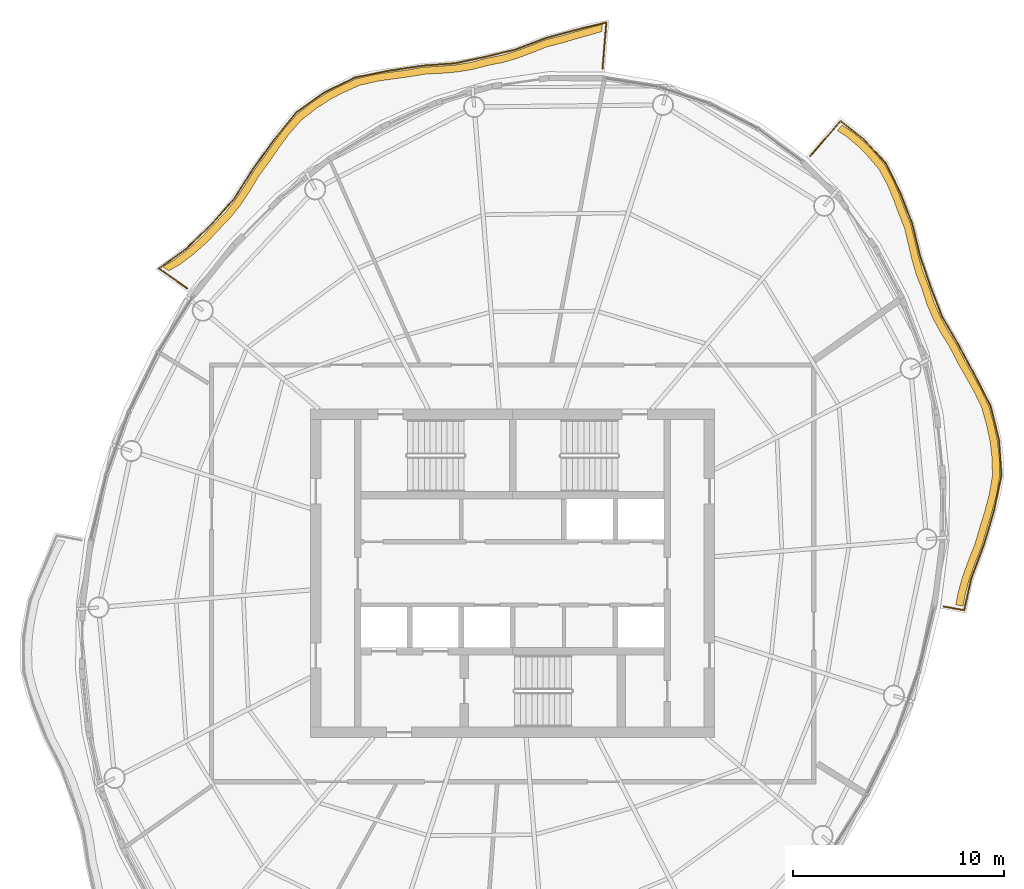
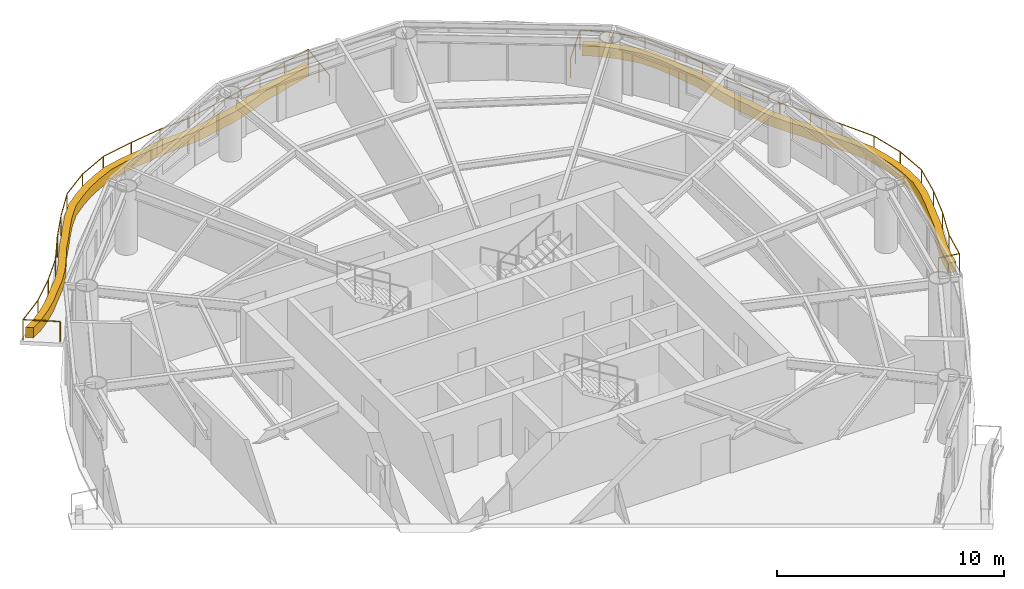
# One storey, part 13 of 13: 2 coverings, 2 railings.
"""IFC4 building model written with IfcOpenShell, lengths in metres."""

from ifc_helpers import new_model, si_unit, direction, frame, origin, origin_2d, place, context, subcontext, project, spatial, polyline, circle, outline, extrude, material, type_object, element, save


model = new_model("IFC4")

# Units and contexts
model_context = context("Model", 3, precision=1e-05, world=origin(), true_north=direction((0.0, 1.0)))
body_context = subcontext(model_context, "Body", "Model", "MODEL_VIEW")
ifc_project = project(units=[si_unit("LENGTHUNIT", "METRE"), si_unit("AREAUNIT", "SQUARE_METRE"), si_unit("VOLUMEUNIT", "CUBIC_METRE"), si_unit("PLANEANGLEUNIT", "RADIAN"), si_unit("MASSUNIT", "GRAM", prefix="KILO")], contexts=[model_context])

# Site, building, storey
site_placement = place(None, origin())
site = spatial("IfcSite", under=ifc_project, at=site_placement, CompositionType="ELEMENT")
building_placement = place(site_placement, origin())
building = spatial("IfcBuilding", under=site, at=building_placement, Name="Vermilion Reach Broadcast Tower", CompositionType="ELEMENT")
storey_placement = place(building_placement, frame((0.0, 0.0, 300.89990234375)))
storey = spatial("IfcBuildingStorey", under=building, at=storey_placement, Name="L75", CompositionType="ELEMENT", Elevation=300.89990234375)

# Coverings
ifc_material_1 = material(Name="Planting soil and greenery")
covering_type = type_object("IfcCoveringType", Name="Balcony PLANTER", PredefinedType="USERDEFINED", material=ifc_material_1)
placement = place(storey_placement, origin())
element("IfcCovering", 1, at=placement, inside=storey, type_object=covering_type, Name="PLANTER L75 group 1", ObjectType="PLANTER", PredefinedType="USERDEFINED", context=body_context, shape_type="SweptSolid", body=[
    extrude(outline(polyline([(-1.7353515625, 26.08251953125), (-2.284423828125, 25.927490234375), (-2.957763671875, 25.742431640625), (-3.631103515625, 25.54248046875), (-4.418212890625, 25.34619140625), (-5.18359375, 25.0478515625), (-5.841796875, 24.802734375), (-6.50732421875, 24.607421875), (-7.255615234375, 24.4599609375), (-8.009521484375, 24.26318359375), (-8.709228515625, 24.148681640625), (-9.4248046875, 24.0869140625), (-10.248779296875, 24.036865234375), (-11.087646484375, 23.895263671875), (-11.836181640625, 23.799560546875), (-12.578125, 23.688232421875), (-13.439208984375, 23.4833984375), (-14.255859375, 23.115966796875), (-14.911865234375, 22.76806640625), (-15.530029296875, 22.3583984375), (-16.2333984375, 21.815185546875), (-16.838623046875, 21.12841796875), (-17.3046875, 20.4951171875), (-17.75634765625, 19.843994140625), (-18.278564453125, 19.1396484375), (-18.741455078125, 18.384033203125), (-19.1787109375, 17.7265625), (-19.6640625, 17.1171875), (-20.24658203125, 16.520263671875), (-20.828369140625, 15.9013671875), (-21.43017578125, 15.374267578125), (-22.07568359375, 14.881591796875), (-22.61865234375, 14.57080078125), (-22.332763671875, 14.368896484375), (-21.80126953125, 14.66455078125), (-21.15576171875, 15.156982421875), (-20.553955078125, 15.68408203125), (-19.984619140625, 16.2880859375), (-19.41552734375, 16.87060546875), (-18.930419921875, 17.47998046875), (-18.4931640625, 18.137451171875), (-18.044921875, 18.87890625), (-17.53857421875, 19.570068359375), (-17.0869140625, 20.22119140625), (-16.620849609375, 20.8544921875), (-16.03271484375, 21.5283203125), (-15.34716796875, 22.06005859375), (-14.72900390625, 22.4697265625), (-14.072998046875, 22.817626953125), (-13.27587890625, 23.173828125), (-12.434814453125, 23.368896484375), (-11.693115234375, 23.480224609375), (-10.9443359375, 23.575927734375), (-10.127685546875, 23.708740234375), (-9.325927734375, 23.751220703125), (-8.610595703125, 23.81298828125), (-7.91064453125, 23.927490234375), (-7.180908203125, 24.1181640625), (-6.457275390625, 24.260986328125), (-5.791748046875, 24.45654296875), (-5.13330078125, 24.701416015625), (-4.39404296875, 24.9970703125), (-3.633056640625, 25.192626953125), (-2.959716796875, 25.392578125), (-2.286376953125, 25.577392578125), (-1.76416015625, 25.73388671875), (-1.7353515625, 26.08251953125)])), origin(), (0.0, 0.0, 1.0), 0.550048828125),
])
element("IfcCovering", 2, at=placement, inside=storey, type_object=covering_type, Name="PLANTER L75 group 4", ObjectType="PLANTER", PredefinedType="USERDEFINED", context=body_context, shape_type="SweptSolid", body=[
    extrude(outline(polyline([(15.390625, -1.560302734375), (15.490478515625, -1.02392578125), (15.698486328125, -0.25732421875), (15.97119140625, 0.501220703125), (16.300048828125, 1.3427734375), (16.546630859375, 2.203369140625), (16.7841796875, 2.974365234375), (16.988037109375, 3.74609375), (17.138671875, 4.65771484375), (17.11181640625, 5.5576171875), (17.0244140625, 6.3115234375), (16.863037109375, 7.057861328125), (16.623046875, 7.931396484375), (16.23876953125, 8.741943359375), (15.858642578125, 9.415283203125), (15.474853515625, 10.087646484375), (15.09033203125, 10.849609375), (14.65869140625, 11.553466796875), (14.30859375, 12.1943359375), (14.019287109375, 12.857421875), (13.76953125, 13.61328125), (13.484130859375, 14.34130859375), (13.281494140625, 15.030517578125), (13.11474609375, 15.739013671875), (12.912353515625, 16.56640625), (12.60302734375, 17.341552734375), (12.35400390625, 18.010009765625), (12.0791015625, 18.65966796875), (11.662353515625, 19.426025390625), (11.104736328125, 20.071044921875), (10.630859375, 20.5478515625), (10.114990234375, 20.9833984375), (9.648681640625, 21.292724609375), (9.419677734375, 21.028076171875), (9.8662109375, 20.737060546875), (10.382080078125, 20.3017578125), (10.85595703125, 19.82470703125), (11.395751953125, 19.19921875), (11.796630859375, 18.453125), (12.0712890625, 17.803466796875), (12.3203125, 17.135009765625), (12.61572265625, 16.38037109375), (12.805908203125, 15.57470703125), (12.972412109375, 14.8662109375), (13.175048828125, 14.1767578125), (13.4501953125, 13.47021484375), (13.69091796875, 12.736328125), (13.980224609375, 12.072998046875), (14.330322265625, 11.432373046875), (14.7548828125, 10.749755859375), (15.133544921875, 10.009521484375), (15.517578125, 9.337158203125), (15.897705078125, 8.663818359375), (16.27783203125, 7.874267578125), (16.514892578125, 7.021728515625), (16.67626953125, 6.275634765625), (16.763671875, 5.521728515625), (16.7890625, 4.64208984375), (16.63818359375, 3.7509765625), (16.43408203125, 2.979248046875), (16.196533203125, 2.208251953125), (15.950927734375, 1.3671875), (15.6240234375, 0.54541015625), (15.351318359375, -0.213134765625), (15.143310546875, -0.979736328125), (15.04638671875, -1.4970703125), (15.390625, -1.560302734375)])), origin(), (0.0, 0.0, 1.0), 0.550048828125),
])

# Railings
ifc_material_2 = material(Name="Stainless steel 316 balustrade", Category="steel")
railing_type = type_object("IfcRailingType", Name="Balcony guard 1100", PredefinedType="BALUSTRADE", material=ifc_material_2)
railing_1_placement = place(storey_placement, frame((-1.730712890625, 23.960205078125, 0.0)))
element("IfcRailing", 3, at=railing_1_placement, inside=storey, type_object=railing_type, Name="Balcony guard L75 group 1", PredefinedType="BALUSTRADE", context=body_context, shape_type="SweptSolid", body=[
    extrude(circle(Radius=0.02490234375, at=origin_2d()), frame((0.0, 0.0, 1.0751953125), z_axis=(0.082350218732, 0.99660345247, 0.0), x_axis=(-0.99660345247, 0.082350218732, 0.0)), (0.0, 0.0, 1.0), 2.208740234375),
    extrude(circle(Radius=0.02490234375, at=origin_2d()), frame((0.181884765625, 2.201171875, 1.0751953125), z_axis=(-0.972255586169, -0.233921087468, 0.0), x_axis=(0.233921087468, -0.972255586169, 0.0)), (0.0, 0.0, 1.0), 1.44873046875),
    extrude(circle(Radius=0.02490234375, at=origin_2d()), frame((-1.2265625, 1.8623046875, 1.0751953125), z_axis=(-0.965343698949, -0.26098188232, 0.0), x_axis=(0.26098188232, -0.965343698949, 0.0)), (0.0, 0.0, 1.0), 1.519287109375),
    extrude(circle(Radius=0.02490234375, at=origin_2d()), frame((-2.693115234375, 1.4658203125, 1.0751953125), z_axis=(-0.93461916633, -0.355650128537, 0.0), x_axis=(0.355650128537, -0.93461916633, 0.0)), (0.0, 0.0, 1.0), 1.529541015625),
    extrude(circle(Radius=0.02490234375, at=origin_2d()), frame((-4.12255859375, 0.921875, 1.0751953125), z_axis=(-0.971867500424, -0.235528260767, 0.0), x_axis=(0.235528260767, -0.971867500424, 0.0)), (0.0, 0.0, 1.0), 1.46044921875),
    extrude(circle(Radius=0.02490234375, at=origin_2d()), frame((-5.5419921875, 0.577880859375, 1.0751953125), z_axis=(-0.977828741736, -0.209406188627, 0.0), x_axis=(0.209406188627, -0.977828741736, 0.0)), (0.0, 0.0, 1.0), 1.492431640625),
    extrude(circle(Radius=0.02490234375, at=origin_2d()), frame((-7.001220703125, 0.265380859375, 1.0751953125), z_axis=(-0.997310167619, -0.073296859166, 0.0), x_axis=(0.073296859166, -0.997310167619, 0.0)), (0.0, 0.0, 1.0), 1.548828125),
    extrude(circle(Radius=0.02490234375, at=origin_2d()), frame((-8.5458984375, 0.15185546875, 1.0751953125), z_axis=(-0.988876216316, -0.148740810826, 0.0), x_axis=(0.148740810826, -0.988876216316, 0.0)), (0.0, 0.0, 1.0), 1.610107421875),
    extrude(circle(Radius=0.02490234375, at=origin_2d()), frame((-10.13818359375, -0.087646484375, 1.0751953125), z_axis=(-0.980951326536, -0.194253687138, 0.0), x_axis=(0.194253687138, -0.980951326536, 0.0)), (0.0, 0.0, 1.0), 1.638916015625),
    extrude(circle(Radius=0.02490234375, at=origin_2d()), frame((-11.745849609375, -0.406005859375, 1.0751953125), z_axis=(-0.899453072137, -0.437017357806, 0.0), x_axis=(0.437017357806, -0.899453072137, 0.0)), (0.0, 0.0, 1.0), 1.642333984375),
    extrude(circle(Radius=0.02490234375, at=origin_2d()), frame((-13.22314453125, -1.123779296875, 1.0751953125), z_axis=(-0.811100554674, -0.584906736333, 0.0), x_axis=(0.584906736333, -0.811100554674, 0.0)), (0.0, 0.0, 1.0), 1.634033203125),
    extrude(circle(Radius=0.02490234375, at=origin_2d()), frame((-14.548583984375, -2.07958984375, 1.0751953125), z_axis=(-0.630754369211, -0.775982555037, 0.0), x_axis=(0.775982555037, -0.630754369211, 0.0)), (0.0, 0.0, 1.0), 1.70458984375),
    extrude(circle(Radius=0.02490234375, at=origin_2d()), frame((-15.623779296875, -3.40234375, 1.0751953125), z_axis=(-0.584008750663, -0.811747361652, 0.0), x_axis=(0.811747361652, -0.584008750663, 0.0)), (0.0, 0.0, 1.0), 1.67333984375),
    extrude(circle(Radius=0.02490234375, at=origin_2d()), frame((-16.60107421875, -4.7607421875, 1.0751953125), z_axis=(-0.53778720377, -0.843080615043, 0.0), x_axis=(0.843080615043, -0.53778720377, 0.0)), (0.0, 0.0, 1.0), 1.68017578125),
    extrude(circle(Radius=0.02490234375, at=origin_2d()), frame((-17.504638671875, -6.17724609375, 1.0751953125), z_axis=(-0.662965074415, -0.748650325656, 0.0), x_axis=(0.748650325656, -0.662965074415, 0.0)), (0.0, 0.0, 1.0), 1.615478515625),
    extrude(circle(Radius=0.02490234375, at=origin_2d()), frame((-18.57568359375, -7.38671875, 1.0751953125), z_axis=(-0.71817560168, -0.69586191529, 0.0), x_axis=(0.69586191529, -0.71817560168, 0.0)), (0.0, 0.0, 1.0), 1.652099609375),
    extrude(circle(Radius=0.02490234375, at=origin_2d()), frame((-19.76220703125, -8.536376953125, 1.0751953125), z_axis=(-0.808500142572, -0.588495980837, 0.0), x_axis=(0.588495980837, -0.808500142572, 0.0)), (0.0, 0.0, 1.0), 1.611328125),
    extrude(circle(Radius=0.02490234375, at=origin_2d()), frame((-21.06494140625, -9.484619140625, 1.0751953125), z_axis=(0.817128701854, -0.576455275461, 0.0), x_axis=(0.576455275461, 0.817128701854, 0.0)), (0.0, 0.0, 1.0), 1.640380859375),
    extrude(circle(Radius=0.02490234375, at=origin_2d()), origin(), (0.0, 0.0, 1.0), 1.050048828125),
    extrude(circle(Radius=0.02490234375, at=origin_2d()), frame((0.0908203125, 1.1005859375, 0.0)), (0.0, 0.0, 1.0), 1.050048828125),
    extrude(circle(Radius=0.02490234375, at=origin_2d()), frame((0.181884765625, 2.201171875, 0.0)), (0.0, 0.0, 1.0), 1.050048828125),
    extrude(circle(Radius=0.02490234375, at=origin_2d()), frame((-1.2265625, 1.8623046875, 0.0)), (0.0, 0.0, 1.0), 1.050048828125),
    extrude(circle(Radius=0.02490234375, at=origin_2d()), frame((-2.693115234375, 1.4658203125, 0.0)), (0.0, 0.0, 1.0), 1.050048828125),
    extrude(circle(Radius=0.02490234375, at=origin_2d()), frame((-4.12255859375, 0.921875, 0.0)), (0.0, 0.0, 1.0), 1.050048828125),
    extrude(circle(Radius=0.02490234375, at=origin_2d()), frame((-5.5419921875, 0.577880859375, 0.0)), (0.0, 0.0, 1.0), 1.050048828125),
    extrude(circle(Radius=0.02490234375, at=origin_2d()), frame((-7.001220703125, 0.265380859375, 0.0)), (0.0, 0.0, 1.0), 1.050048828125),
    extrude(circle(Radius=0.02490234375, at=origin_2d()), frame((-8.5458984375, 0.15185546875, 0.0)), (0.0, 0.0, 1.0), 1.050048828125),
    extrude(circle(Radius=0.02490234375, at=origin_2d()), frame((-10.13818359375, -0.087646484375, 0.0)), (0.0, 0.0, 1.0), 1.050048828125),
    extrude(circle(Radius=0.02490234375, at=origin_2d()), frame((-11.745849609375, -0.406005859375, 0.0)), (0.0, 0.0, 1.0), 1.050048828125),
    extrude(circle(Radius=0.02490234375, at=origin_2d()), frame((-13.22314453125, -1.123779296875, 0.0)), (0.0, 0.0, 1.0), 1.050048828125),
    extrude(circle(Radius=0.02490234375, at=origin_2d()), frame((-14.548583984375, -2.07958984375, 0.0)), (0.0, 0.0, 1.0), 1.050048828125),
    extrude(circle(Radius=0.02490234375, at=origin_2d()), frame((-15.623779296875, -3.40234375, 0.0)), (0.0, 0.0, 1.0), 1.050048828125),
    extrude(circle(Radius=0.02490234375, at=origin_2d()), frame((-16.60107421875, -4.7607421875, 0.0)), (0.0, 0.0, 1.0), 1.050048828125),
    extrude(circle(Radius=0.02490234375, at=origin_2d()), frame((-17.504638671875, -6.17724609375, 0.0)), (0.0, 0.0, 1.0), 1.050048828125),
    extrude(circle(Radius=0.02490234375, at=origin_2d()), frame((-18.57568359375, -7.38671875, 0.0)), (0.0, 0.0, 1.0), 1.050048828125),
    extrude(circle(Radius=0.02490234375, at=origin_2d()), frame((-19.76220703125, -8.536376953125, 0.0)), (0.0, 0.0, 1.0), 1.050048828125),
    extrude(circle(Radius=0.02490234375, at=origin_2d()), frame((-21.06494140625, -9.484619140625, 0.0)), (0.0, 0.0, 1.0), 1.050048828125),
    extrude(circle(Radius=0.02490234375, at=origin_2d()), frame((-19.724609375, -10.43017578125, 0.0)), (0.0, 0.0, 1.0), 1.050048828125),
])
railing_2_placement = place(storey_placement, frame((14.48046875, -1.575927734375, 0.0)))
element("IfcRailing", 4, at=railing_2_placement, inside=storey, type_object=railing_type, Name="Balcony guard L75 group 4", PredefinedType="BALUSTRADE", context=body_context, shape_type="SweptSolid", body=[
    extrude(circle(Radius=0.02490234375, at=origin_2d()), frame((0.0, 0.0, 1.0751953125), z_axis=(0.983590391461, -0.180416024305, 0.0), x_axis=(0.180416024305, 0.983590391461, 0.0)), (0.0, 0.0, 1.0), 0.982421875),
    extrude(circle(Radius=0.02490234375, at=origin_2d()), frame((0.96630859375, -0.17724609375, 1.0751953125), z_axis=(0.217473825752, 0.976066153041, 0.0), x_axis=(-0.976066153041, 0.217473825752, 0.0)), (0.0, 0.0, 1.0), 1.522216796875),
    extrude(circle(Radius=0.02490234375, at=origin_2d()), frame((1.29736328125, 1.30859375, 1.0751953125), z_axis=(0.351310781575, 0.936258903695, 0.0), x_axis=(-0.936258903695, 0.351310781575, 0.0)), (0.0, 0.0, 1.0), 1.713623046875),
    extrude(circle(Radius=0.02490234375, at=origin_2d()), frame((1.8994140625, 2.9130859375, 1.0751953125), z_axis=(0.283722946887, 0.958906298556, 0.0), x_axis=(-0.958906298556, 0.283722946887, 0.0)), (0.0, 0.0, 1.0), 1.706298828125),
    extrude(circle(Radius=0.02490234375, at=origin_2d()), frame((2.383544921875, 4.54931640625, 1.0751953125), z_axis=(0.205689421121, 0.978617321551, 0.0), x_axis=(-0.978617321551, 0.205689421121, 0.0)), (0.0, 0.0, 1.0), 1.724609375),
    extrude(circle(Radius=0.02490234375, at=origin_2d()), frame((2.73828125, 6.237060546875, 1.0751953125), z_axis=(-0.069013744961, 0.997615709082, 0.0), x_axis=(-0.997615709082, -0.069013744961, 0.0)), (0.0, 0.0, 1.0), 1.66259765625),
    extrude(circle(Radius=0.02490234375, at=origin_2d()), frame((2.62353515625, 7.895751953125, 1.0751953125), z_axis=(-0.240269484832, 0.970706224693, 0.0), x_axis=(-0.970706224693, -0.240269484832, 0.0)), (0.0, 0.0, 1.0), 1.673583984375),
    extrude(circle(Radius=0.02490234375, at=origin_2d()), frame((2.221435546875, 9.520263671875, 1.0751953125), z_axis=(-0.45710412199, 0.889413189502, 0.0), x_axis=(-0.889413189502, -0.45710412199, 0.0)), (0.0, 0.0, 1.0), 1.673828125),
    extrude(circle(Radius=0.02490234375, at=origin_2d()), frame((1.456298828125, 11.009033203125, 1.0751953125), z_axis=(-0.471573818814, 0.881826589194, 0.0), x_axis=(-0.881826589194, -0.471573818814, 0.0)), (0.0, 0.0, 1.0), 1.63232421875),
    extrude(circle(Radius=0.02490234375, at=origin_2d()), frame((0.6865234375, 12.448486328125, 1.0751953125), z_axis=(-0.502109093979, 0.864804288694, 0.0), x_axis=(-0.864804288694, -0.502109093979, 0.0)), (0.0, 0.0, 1.0), 1.560302734375),
    extrude(circle(Radius=0.02490234375, at=origin_2d()), frame((-0.096923828125, 13.7978515625, 1.0751953125), z_axis=(-0.355002076056, 0.934865512251, 0.0), x_axis=(-0.934865512251, -0.355002076056, 0.0)), (0.0, 0.0, 1.0), 1.523193359375),
    extrude(circle(Radius=0.02490234375, at=origin_2d()), frame((-0.6376953125, 15.221923828125, 1.0751953125), z_axis=(-0.326190728492, 0.945303976849, 0.0), x_axis=(-0.945303976849, -0.326190728492, 0.0)), (0.0, 0.0, 1.0), 1.50439453125),
    extrude(circle(Radius=0.02490234375, at=origin_2d()), frame((-1.12841796875, 16.64404296875, 1.0751953125), z_axis=(-0.234590342673, 0.972094322134, 0.0), x_axis=(-0.972094322134, -0.234590342673, 0.0)), (0.0, 0.0, 1.0), 1.5849609375),
    extrude(circle(Radius=0.02490234375, at=origin_2d()), frame((-1.500244140625, 18.184814453125, 1.0751953125), z_axis=(-0.361589186665, 0.932337524766, 0.0), x_axis=(-0.932337524766, -0.361589186665, 0.0)), (0.0, 0.0, 1.0), 1.5537109375),
    extrude(circle(Radius=0.02490234375, at=origin_2d()), frame((-2.06201171875, 19.63330078125, 1.0751953125), z_axis=(-0.439603206266, 0.898192084713, 0.0), x_axis=(-0.898192084713, -0.439603206266, 0.0)), (0.0, 0.0, 1.0), 1.581787109375),
    extrude(circle(Radius=0.02490234375, at=origin_2d()), frame((-2.75732421875, 21.053955078125, 1.0751953125), z_axis=(-0.676800655818, 0.736166334659, 0.0), x_axis=(-0.736166334659, -0.676800655818, 0.0)), (0.0, 0.0, 1.0), 1.52978515625),
    extrude(circle(Radius=0.02490234375, at=origin_2d()), frame((-3.792724609375, 22.18017578125, 1.0751953125), z_axis=(-0.785552573052, 0.618794921579, 0.0), x_axis=(-0.618794921579, -0.785552573052, 0.0)), (0.0, 0.0, 1.0), 1.417236328125),
    extrude(circle(Radius=0.02490234375, at=origin_2d()), frame((-4.906005859375, 23.05712890625, 1.0751953125), z_axis=(-0.654441287649, -0.756112822944, 0.0), x_axis=(0.756112822944, -0.654441287649, 0.0)), (0.0, 0.0, 1.0), 2.204345703125),
    extrude(circle(Radius=0.02490234375, at=origin_2d()), origin(), (0.0, 0.0, 1.0), 1.050048828125),
    extrude(circle(Radius=0.02490234375, at=origin_2d()), frame((0.96630859375, -0.17724609375, 0.0)), (0.0, 0.0, 1.0), 1.050048828125),
    extrude(circle(Radius=0.02490234375, at=origin_2d()), frame((1.29736328125, 1.30859375, 0.0)), (0.0, 0.0, 1.0), 1.050048828125),
    extrude(circle(Radius=0.02490234375, at=origin_2d()), frame((1.8994140625, 2.9130859375, 0.0)), (0.0, 0.0, 1.0), 1.050048828125),
    extrude(circle(Radius=0.02490234375, at=origin_2d()), frame((2.383544921875, 4.54931640625, 0.0)), (0.0, 0.0, 1.0), 1.050048828125),
    extrude(circle(Radius=0.02490234375, at=origin_2d()), frame((2.73828125, 6.237060546875, 0.0)), (0.0, 0.0, 1.0), 1.050048828125),
    extrude(circle(Radius=0.02490234375, at=origin_2d()), frame((2.62353515625, 7.895751953125, 0.0)), (0.0, 0.0, 1.0), 1.050048828125),
    extrude(circle(Radius=0.02490234375, at=origin_2d()), frame((2.221435546875, 9.520263671875, 0.0)), (0.0, 0.0, 1.0), 1.050048828125),
    extrude(circle(Radius=0.02490234375, at=origin_2d()), frame((1.456298828125, 11.009033203125, 0.0)), (0.0, 0.0, 1.0), 1.050048828125),
    extrude(circle(Radius=0.02490234375, at=origin_2d()), frame((0.6865234375, 12.448486328125, 0.0)), (0.0, 0.0, 1.0), 1.050048828125),
    extrude(circle(Radius=0.02490234375, at=origin_2d()), frame((-0.096923828125, 13.7978515625, 0.0)), (0.0, 0.0, 1.0), 1.050048828125),
    extrude(circle(Radius=0.02490234375, at=origin_2d()), frame((-0.6376953125, 15.221923828125, 0.0)), (0.0, 0.0, 1.0), 1.050048828125),
    extrude(circle(Radius=0.02490234375, at=origin_2d()), frame((-1.12841796875, 16.64404296875, 0.0)), (0.0, 0.0, 1.0), 1.050048828125),
    extrude(circle(Radius=0.02490234375, at=origin_2d()), frame((-1.500244140625, 18.184814453125, 0.0)), (0.0, 0.0, 1.0), 1.050048828125),
    extrude(circle(Radius=0.02490234375, at=origin_2d()), frame((-2.06201171875, 19.63330078125, 0.0)), (0.0, 0.0, 1.0), 1.050048828125),
    extrude(circle(Radius=0.02490234375, at=origin_2d()), frame((-2.75732421875, 21.053955078125, 0.0)), (0.0, 0.0, 1.0), 1.050048828125),
    extrude(circle(Radius=0.02490234375, at=origin_2d()), frame((-3.792724609375, 22.18017578125, 0.0)), (0.0, 0.0, 1.0), 1.050048828125),
    extrude(circle(Radius=0.02490234375, at=origin_2d()), frame((-4.906005859375, 23.05712890625, 0.0)), (0.0, 0.0, 1.0), 1.050048828125),
    extrude(circle(Radius=0.02490234375, at=origin_2d()), frame((-5.62744140625, 22.2236328125, 0.0)), (0.0, 0.0, 1.0), 1.050048828125),
    extrude(circle(Radius=0.02490234375, at=origin_2d()), frame((-6.3486328125, 21.390380859375, 0.0)), (0.0, 0.0, 1.0), 1.050048828125),
])

save(model, "model.ifc")
